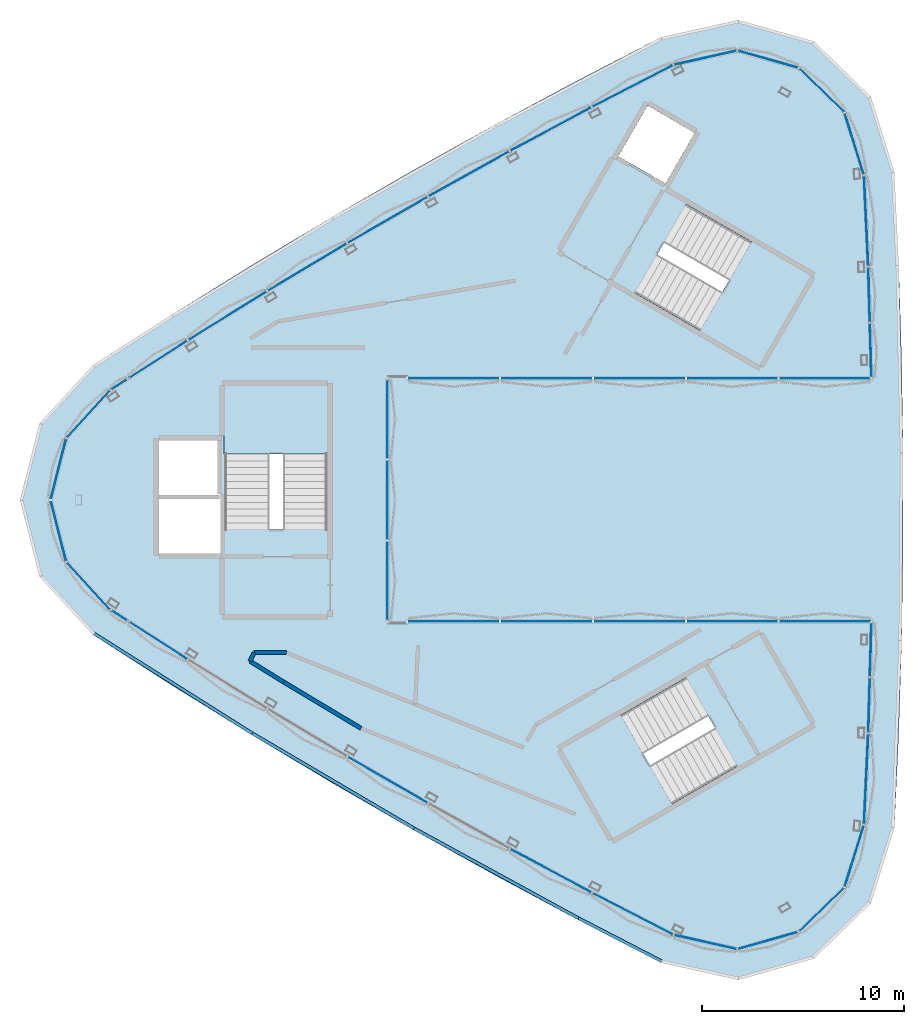
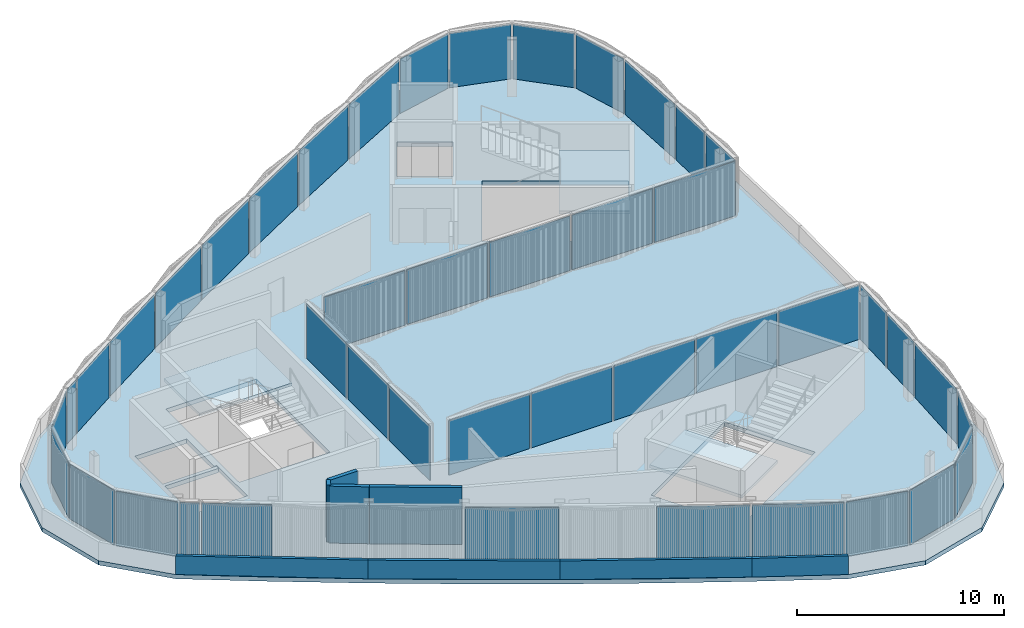
# One storey, part 6 of 16: 44 plates, 8 walls, 4 slabs, 6 elements without a shape of their own.
"""IFC4 building model written with IfcOpenShell, lengths in metres."""

from ifc_helpers import new_model, si_unit, direction, frame, frame_2d, origin, origin_2d, place, context, subcontext, project, spatial, polyline, rectangle, outline, extrude, material, layer, layer_set, type_object, element, aggregate, save


model = new_model("IFC4")

# Units and contexts
model_context = context("Model", 3, precision=1e-05, world=origin(), true_north=direction((0.0, 1.0)))
body_context = subcontext(model_context, "Body", "Model", "MODEL_VIEW")
ifc_project = project(units=[si_unit("LENGTHUNIT", "METRE"), si_unit("AREAUNIT", "SQUARE_METRE"), si_unit("VOLUMEUNIT", "CUBIC_METRE"), si_unit("PLANEANGLEUNIT", "RADIAN"), si_unit("MASSUNIT", "GRAM", prefix="KILO")], contexts=[model_context])

# Site, building, storey
site_placement = place(None, origin())
site = spatial("IfcSite", under=ifc_project, at=site_placement, CompositionType="ELEMENT")
building_placement = place(site_placement, origin())
building = spatial("IfcBuilding", under=site, at=building_placement, Name="Tamra Quay Hotel Tower", CompositionType="ELEMENT")
storey_placement = place(building_placement, frame((0.0, 0.0, 320.60009765625)))
storey = spatial("IfcBuildingStorey", under=building, at=storey_placement, Name="Roof crown 1", CompositionType="ELEMENT", Elevation=320.60009765625)

# Stair, slab
ifc_material_1 = material(Name="Exit stair 2200 24 risers 150.0 going 342")
stair_type = type_object("IfcStairType", Name="Exit stair 2200 24 risers 150.0 going 342", PredefinedType="HALF_TURN_STAIR", material=ifc_material_1)
stair_1_placement = place(storey_placement, origin())
stair_1 = element("IfcStair", 1, at=stair_1_placement, inside=storey, type_object=stair_type, Name="Roof crown 1 Exit stair ST3", PredefinedType="HALF_TURN_STAIR")
ifc_material_2 = material(Name="Concrete M70", Category="concrete")
ifc_layer_1 = layer(ifc_material_2, 0.175048828125)
ifc_layer_set_1 = layer_set([ifc_layer_1], Name="Concrete M70 stair landing 180")
slab_type_1 = type_object("IfcSlabType", Name="Concrete M70 stair landing 180", PredefinedType="LANDING", material=ifc_layer_set_1)
slab_1_placement = place(storey_placement, frame((0.0, 0.0, 1.625)))
slab_1 = element("IfcSlab", 2, at=slab_1_placement, type_object=slab_type_1, Name="ST3 landing 1", PredefinedType="LANDING", context=body_context, shape_type="SweptSolid", body=[
    extrude(outline(polyline([(-10.932373046875, 2.261962890625), (-10.932373046875, 5.679931640625), (-16.09130859375, 5.679931640625), (-16.09130859375, 2.261962890625), (-10.932373046875, 2.261962890625)])), origin(), (0.0, 0.0, 1.0), 0.1748046875),
])
aggregate(stair_1, [slab_1])

stair_2_placement = place(storey_placement, origin())
stair_2 = element("IfcStair", 3, at=stair_2_placement, inside=storey, type_object=stair_type, Name="Roof crown 1 Exit stair ST1", PredefinedType="HALF_TURN_STAIR")
slab_2_placement = place(storey_placement, frame((0.0, 0.0, 1.625)))
slab_2 = element("IfcSlab", 4, at=slab_2_placement, type_object=slab_type_1, Name="ST1 landing 1", PredefinedType="LANDING", context=body_context, shape_type="SweptSolid", body=[
    extrude(outline(polyline([(7.425048828125, 8.336669921875), (10.385009765625, 6.627685546875), (12.964599609375, 11.095458984375), (10.00439453125, 12.804443359375), (7.425048828125, 8.336669921875)])), origin(), (0.0, 0.0, 1.0), 0.1748046875),
])
aggregate(stair_2, [slab_2])

stair_3_placement = place(storey_placement, origin())
stair_3 = element("IfcStair", 5, at=stair_3_placement, inside=storey, type_object=stair_type, Name="Roof crown 1 Exit stair ST2", PredefinedType="HALF_TURN_STAIR")
slab_3_placement = place(storey_placement, frame((0.0, 0.0, 1.625)))
slab_3 = element("IfcSlab", 6, at=slab_3_placement, type_object=slab_type_1, Name="ST2 landing 1", PredefinedType="LANDING", context=body_context, shape_type="SweptSolid", body=[
    extrude(outline(polyline([(3.50732421875, -10.5986328125), (0.547119140625, -12.3076171875), (3.126708984375, -16.775390625), (6.086669921875, -15.06640625), (3.50732421875, -10.5986328125)])), origin(), (0.0, 0.0, 1.0), 0.1748046875),
])
aggregate(stair_3, [slab_3])

# Curtain wall, plates
ifc_material_3 = material(Name="Aluminium 6063 anodised dark grey", Category="aluminium")
curtain_wall_type = type_object("IfcCurtainWallType", Name="CW6 CURTAIN WALL", PredefinedType="NOTDEFINED", material=ifc_material_3)
curtain_wall_1_placement = place(storey_placement, origin())
curtain_wall_1 = element("IfcCurtainWall", 7, at=curtain_wall_1_placement, inside=storey, type_object=curtain_wall_type, Name="CW6 lantern A face Roof crown 1", PredefinedType="NOTDEFINED")
ifc_material_4 = material(Name="Glass clear laminated low-iron", Category="glass")
ifc_layer_2 = layer(ifc_material_4, 0.030029296875)
ifc_layer_set_2 = layer_set([ifc_layer_2], Name="GLASS PANEL CW6")
plate_type = type_object("IfcPlateType", Name="GLASS PANEL CW6", PredefinedType="CURTAIN_PANEL", material=ifc_layer_set_2)
plate_1_placement = place(storey_placement, frame((15.66162109375, 13.796142578125, 0.0), z_axis=(0.0, 0.0, 1.0), x_axis=(-0.046821305973, 0.998903281257, 0.0)))
plate_1 = element("IfcPlate", 8, at=plate_1_placement, type_object=plate_type, Name="CW6 glass Roof crown 1.A.1", PredefinedType="CURTAIN_PANEL", context=body_context, shape_type="SweptSolid", body=[
    extrude(rectangle(XDim=4.440185546875, YDim=0.030029296875, at=origin_2d()), origin(), (0.0, 0.0, 1.0), 3.2099609375),
])
plate_2_placement = place(storey_placement, frame((15.072998046875, 17.6064453125, 0.0), z_axis=(0.0, 0.0, 1.0), x_axis=(-0.29839239288, 0.954443282689, 0.0)))
plate_2 = element("IfcPlate", 9, at=plate_2_placement, type_object=plate_type, Name="CW6 glass Roof crown 1.A.2", PredefinedType="CURTAIN_PANEL", context=body_context, shape_type="SweptSolid", body=[
    extrude(rectangle(XDim=3.132568359375, YDim=0.030029296875, at=origin_2d()), origin(), (0.0, 0.0, 1.0), 3.2099609375),
])
plate_3_placement = place(storey_placement, frame((13.458984375, 20.250244140625, 0.0), z_axis=(0.0, 0.0, 1.0), x_axis=(-0.716752699854, 0.69732744622, 0.0)))
plate_3 = element("IfcPlate", 10, at=plate_3_placement, type_object=plate_type, Name="CW6 glass Roof crown 1.A.3", PredefinedType="CURTAIN_PANEL", context=body_context, shape_type="SweptSolid", body=[
    extrude(rectangle(XDim=3.05810546875, YDim=0.030029296875, at=origin_2d()), origin(), (0.0, 0.0, 1.0), 3.2099609375),
])
plate_4_placement = place(storey_placement, frame((10.807861328125, 21.781005859375, 0.0), z_axis=(0.0, 0.0, 1.0), x_axis=(-0.96227963311, 0.272062323195, 0.0)))
plate_4 = element("IfcPlate", 11, at=plate_4_placement, type_object=plate_type, Name="CW6 glass Roof crown 1.A.4", PredefinedType="CURTAIN_PANEL", context=body_context, shape_type="SweptSolid", body=[
    extrude(rectangle(XDim=3.05810546875, YDim=0.030029296875, at=origin_2d()), origin(), (0.0, 0.0, 1.0), 3.2099609375),
])
plate_5_placement = place(storey_placement, frame((7.711181640625, 21.85693359375, 0.0), z_axis=(0.0, 0.0, 1.0), x_axis=(-0.975768325721, -0.218806248814, 0.0)))
plate_5 = element("IfcPlate", 12, at=plate_5_placement, type_object=plate_type, Name="CW6 glass Roof crown 1.A.5", PredefinedType="CURTAIN_PANEL", context=body_context, shape_type="SweptSolid", body=[
    extrude(rectangle(XDim=3.132568359375, YDim=0.030029296875, at=origin_2d()), origin(), (0.0, 0.0, 1.0), 3.2099609375),
])
plate_6_placement = place(storey_placement, frame((4.116943359375, 20.46142578125, 0.0), z_axis=(0.0, 0.0, 1.0), x_axis=(-0.888486270479, -0.458903200218, 0.0)))
plate_6 = element("IfcPlate", 13, at=plate_6_placement, type_object=plate_type, Name="CW6 glass Roof crown 1.A.6", PredefinedType="CURTAIN_PANEL", context=body_context, shape_type="SweptSolid", body=[
    extrude(rectangle(XDim=4.440185546875, YDim=0.030029296875, at=origin_2d()), origin(), (0.0, 0.0, 1.0), 3.2099609375),
])
plate_7_placement = place(storey_placement, frame((0.06787109375, 18.32958984375, 0.0), z_axis=(0.0, 0.0, 1.0), x_axis=(-0.881223582111, -0.472699691486, 0.0)))
plate_7 = element("IfcPlate", 14, at=plate_7_placement, type_object=plate_type, Name="CW6 glass Roof crown 1.A.7", PredefinedType="CURTAIN_PANEL", context=body_context, shape_type="SweptSolid", body=[
    extrude(rectangle(XDim=4.51220703125, YDim=0.030029296875, at=origin_2d()), origin(), (0.0, 0.0, 1.0), 3.2099609375),
])
plate_8_placement = place(storey_placement, frame((-3.9794921875, 16.11767578125, 0.0), z_axis=(0.0, 0.0, 1.0), x_axis=(-0.873735522847, -0.486401311794, 0.0)))
plate_8 = element("IfcPlate", 15, at=plate_8_placement, type_object=plate_type, Name="CW6 glass Roof crown 1.A.8", PredefinedType="CURTAIN_PANEL", context=body_context, shape_type="SweptSolid", body=[
    extrude(rectangle(XDim=4.5126953125, YDim=0.030029296875, at=origin_2d()), origin(), (0.0, 0.0, 1.0), 3.2099609375),
])
plate_9_placement = place(storey_placement, frame((-7.991943359375, 13.842529296875, 0.0), z_axis=(0.0, 0.0, 1.0), x_axis=(-0.866025403784, -0.5, 0.0)))
plate_9 = element("IfcPlate", 16, at=plate_9_placement, type_object=plate_type, Name="CW6 glass Roof crown 1.A.9", PredefinedType="CURTAIN_PANEL", context=body_context, shape_type="SweptSolid", body=[
    extrude(rectangle(XDim=4.5126953125, YDim=0.030029296875, at=origin_2d()), origin(), (0.0, 0.0, 1.0), 3.2099609375),
])
plate_10_placement = place(storey_placement, frame((-11.968505859375, 11.505126953125, 0.0), z_axis=(0.0, 0.0, 1.0), x_axis=(-0.858103653871, -0.513476503078, 0.0)))
plate_10 = element("IfcPlate", 17, at=plate_10_placement, type_object=plate_type, Name="CW6 glass Roof crown 1.A.10", PredefinedType="CURTAIN_PANEL", context=body_context, shape_type="SweptSolid", body=[
    extrude(rectangle(XDim=4.5126953125, YDim=0.030029296875, at=origin_2d()), origin(), (0.0, 0.0, 1.0), 3.2099609375),
])
plate_11_placement = place(storey_placement, frame((-15.90771484375, 9.10595703125, 0.0), z_axis=(0.0, 0.0, 1.0), x_axis=(-0.849981732244, -0.526812162779, 0.0)))
plate_11 = element("IfcPlate", 18, at=plate_11_placement, type_object=plate_type, Name="CW6 glass Roof crown 1.A.11", PredefinedType="CURTAIN_PANEL", context=body_context, shape_type="SweptSolid", body=[
    extrude(rectangle(XDim=4.51220703125, YDim=0.030029296875, at=origin_2d()), origin(), (0.0, 0.0, 1.0), 3.2099609375),
])
plate_12_placement = place(storey_placement, frame((-19.341796875, 6.945556640625, 0.0), z_axis=(0.0, 0.0, 1.0), x_axis=(-0.841664964506, -0.54000008104, 0.0)))
plate_12 = element("IfcPlate", 19, at=plate_12_placement, type_object=plate_type, Name="CW6 glass Roof crown 1.A.12", PredefinedType="CURTAIN_PANEL", context=body_context, shape_type="SweptSolid", body=[
    extrude(rectangle(XDim=3.402099609375, YDim=0.030029296875, at=origin_2d()), origin(), (0.0, 0.0, 1.0), 3.2099609375),
])
plate_13_placement = place(storey_placement, frame((-4.740966796875, 6.0, 0.0), z_axis=(0.0, 0.0, 1.0), x_axis=(1.0, 0.0, 0.0)))
plate_13 = element("IfcPlate", 20, at=plate_13_placement, type_object=plate_type, Name="CW6 glass Roof crown 1.A.13", PredefinedType="CURTAIN_PANEL", context=body_context, shape_type="SweptSolid", body=[
    extrude(rectangle(XDim=4.49267578125, YDim=0.030029296875, at=origin_2d()), origin(), (0.0, 0.0, 1.0), 3.2099609375),
])
plate_14_placement = place(storey_placement, frame((-0.148193359375, 6.0, 0.0), z_axis=(0.0, 0.0, 1.0), x_axis=(1.0, 0.0, 0.0)))
plate_14 = element("IfcPlate", 21, at=plate_14_placement, type_object=plate_type, Name="CW6 glass Roof crown 1.A.14", PredefinedType="CURTAIN_PANEL", context=body_context, shape_type="SweptSolid", body=[
    extrude(rectangle(XDim=4.49267578125, YDim=0.030029296875, at=origin_2d()), origin(), (0.0, 0.0, 1.0), 3.2099609375),
])
plate_15_placement = place(storey_placement, frame((4.444580078125, 6.0, 0.0), z_axis=(0.0, 0.0, 1.0), x_axis=(1.0, 0.0, 0.0)))
plate_15 = element("IfcPlate", 22, at=plate_15_placement, type_object=plate_type, Name="CW6 glass Roof crown 1.A.15", PredefinedType="CURTAIN_PANEL", context=body_context, shape_type="SweptSolid", body=[
    extrude(rectangle(XDim=4.49267578125, YDim=0.030029296875, at=origin_2d()), origin(), (0.0, 0.0, 1.0), 3.2099609375),
])
plate_16_placement = place(storey_placement, frame((9.037353515625, 6.0, 0.0), z_axis=(0.0, 0.0, 1.0), x_axis=(1.0, 0.0, 0.0)))
plate_16 = element("IfcPlate", 23, at=plate_16_placement, type_object=plate_type, Name="CW6 glass Roof crown 1.A.16", PredefinedType="CURTAIN_PANEL", context=body_context, shape_type="SweptSolid", body=[
    extrude(rectangle(XDim=4.49267578125, YDim=0.030029296875, at=origin_2d()), origin(), (0.0, 0.0, 1.0), 3.2099609375),
])
plate_17_placement = place(storey_placement, frame((13.6298828125, 6.0, 0.0), z_axis=(0.0, 0.0, 1.0), x_axis=(1.0, 0.0, 0.0)))
plate_17 = element("IfcPlate", 24, at=plate_17_placement, type_object=plate_type, Name="CW6 glass Roof crown 1.A.17", PredefinedType="CURTAIN_PANEL", context=body_context, shape_type="SweptSolid", body=[
    extrude(rectangle(XDim=4.49267578125, YDim=0.030029296875, at=origin_2d()), origin(), (0.0, 0.0, 1.0), 3.2099609375),
])
plate_18_placement = place(storey_placement, frame((15.88671875, 7.382080078125, 0.0), z_axis=(0.0, 0.0, 1.0), x_axis=(-0.028649831581, 0.999589509324, 0.0)))
plate_18 = element("IfcPlate", 25, at=plate_18_placement, type_object=plate_type, Name="CW6 glass Roof crown 1.A.18", PredefinedType="CURTAIN_PANEL", context=body_context, shape_type="SweptSolid", body=[
    extrude(rectangle(XDim=2.665283203125, YDim=0.030029296875, at=origin_2d()), origin(), (0.0, 0.0, 1.0), 3.2099609375),
])
plate_19_placement = place(storey_placement, frame((15.8076171875, 10.146484375, 0.0), z_axis=(0.0, 0.0, 1.0), x_axis=(-0.028649831581, 0.999589509324, 0.0)))
plate_19 = element("IfcPlate", 26, at=plate_19_placement, type_object=plate_type, Name="CW6 glass Roof crown 1.A.19", PredefinedType="CURTAIN_PANEL", context=body_context, shape_type="SweptSolid", body=[
    extrude(rectangle(XDim=2.665283203125, YDim=0.030029296875, at=origin_2d()), origin(), (0.0, 0.0, 1.0), 3.2099609375),
])
aggregate(curtain_wall_1, [plate_1, plate_2, plate_3, plate_4, plate_5, plate_6, plate_7, plate_8, plate_9, plate_10, plate_11, plate_12, plate_13, plate_14, plate_15, plate_16, plate_17, plate_18, plate_19])

curtain_wall_2_placement = place(storey_placement, origin())
curtain_wall_2 = element("IfcCurtainWall", 27, at=curtain_wall_2_placement, inside=storey, type_object=curtain_wall_type, Name="CW6 lantern B face Roof crown 1", PredefinedType="NOTDEFINED")
plate_20_placement = place(storey_placement, frame((13.6298828125, -6.0, 0.0), z_axis=(0.0, 0.0, 1.0), x_axis=(-1.0, 0.0, 0.0)))
plate_20 = element("IfcPlate", 28, at=plate_20_placement, type_object=plate_type, Name="CW6 glass Roof crown 1.B.1", PredefinedType="CURTAIN_PANEL", context=body_context, shape_type="SweptSolid", body=[
    extrude(rectangle(XDim=4.49267578125, YDim=0.030029296875, at=origin_2d()), origin(), (0.0, 0.0, 1.0), 3.2099609375),
])
plate_21_placement = place(storey_placement, frame((9.037353515625, -6.0, 0.0), z_axis=(0.0, 0.0, 1.0), x_axis=(-1.0, 0.0, 0.0)))
plate_21 = element("IfcPlate", 29, at=plate_21_placement, type_object=plate_type, Name="CW6 glass Roof crown 1.B.2", PredefinedType="CURTAIN_PANEL", context=body_context, shape_type="SweptSolid", body=[
    extrude(rectangle(XDim=4.49267578125, YDim=0.030029296875, at=origin_2d()), origin(), (0.0, 0.0, 1.0), 3.2099609375),
])
plate_22_placement = place(storey_placement, frame((4.444580078125, -6.0, 0.0), z_axis=(0.0, 0.0, 1.0), x_axis=(-1.0, 0.0, 0.0)))
plate_22 = element("IfcPlate", 30, at=plate_22_placement, type_object=plate_type, Name="CW6 glass Roof crown 1.B.3", PredefinedType="CURTAIN_PANEL", context=body_context, shape_type="SweptSolid", body=[
    extrude(rectangle(XDim=4.49267578125, YDim=0.030029296875, at=origin_2d()), origin(), (0.0, 0.0, 1.0), 3.2099609375),
])
plate_23_placement = place(storey_placement, frame((-0.148193359375, -6.0, 0.0), z_axis=(0.0, 0.0, 1.0), x_axis=(-1.0, 0.0, 0.0)))
plate_23 = element("IfcPlate", 31, at=plate_23_placement, type_object=plate_type, Name="CW6 glass Roof crown 1.B.4", PredefinedType="CURTAIN_PANEL", context=body_context, shape_type="SweptSolid", body=[
    extrude(rectangle(XDim=4.49267578125, YDim=0.030029296875, at=origin_2d()), origin(), (0.0, 0.0, 1.0), 3.2099609375),
])
plate_24_placement = place(storey_placement, frame((-4.740966796875, -6.0, 0.0), z_axis=(0.0, 0.0, 1.0), x_axis=(-1.0, 0.0, 0.0)))
plate_24 = element("IfcPlate", 32, at=plate_24_placement, type_object=plate_type, Name="CW6 glass Roof crown 1.B.5", PredefinedType="CURTAIN_PANEL", context=body_context, shape_type="SweptSolid", body=[
    extrude(rectangle(XDim=4.49267578125, YDim=0.030029296875, at=origin_2d()), origin(), (0.0, 0.0, 1.0), 3.2099609375),
])
plate_25_placement = place(storey_placement, frame((-19.341796875, -6.945556640625, 0.0), z_axis=(0.0, 0.0, 1.0), x_axis=(0.841664964506, -0.54000008104, 0.0)))
plate_25 = element("IfcPlate", 33, at=plate_25_placement, type_object=plate_type, Name="CW6 glass Roof crown 1.B.6", PredefinedType="CURTAIN_PANEL", context=body_context, shape_type="SweptSolid", body=[
    extrude(rectangle(XDim=3.402099609375, YDim=0.030029296875, at=origin_2d()), origin(), (0.0, 0.0, 1.0), 3.2099609375),
])
plate_26_placement = place(storey_placement, frame((-7.991943359375, -13.842529296875, 0.0), z_axis=(0.0, 0.0, 1.0), x_axis=(0.866025403784, -0.5, 0.0)))
plate_26 = element("IfcPlate", 34, at=plate_26_placement, type_object=plate_type, Name="CW6 glass Roof crown 1.B.9", PredefinedType="CURTAIN_PANEL", context=body_context, shape_type="SweptSolid", body=[
    extrude(rectangle(XDim=4.5126953125, YDim=0.030029296875, at=origin_2d()), origin(), (0.0, 0.0, 1.0), 3.2099609375),
])
plate_27_placement = place(storey_placement, frame((0.06787109375, -18.32958984375, 0.0), z_axis=(0.0, 0.0, 1.0), x_axis=(0.881223582111, -0.472699691486, 0.0)))
plate_27 = element("IfcPlate", 35, at=plate_27_placement, type_object=plate_type, Name="CW6 glass Roof crown 1.B.11", PredefinedType="CURTAIN_PANEL", context=body_context, shape_type="SweptSolid", body=[
    extrude(rectangle(XDim=4.51220703125, YDim=0.030029296875, at=origin_2d()), origin(), (0.0, 0.0, 1.0), 3.2099609375),
])
plate_28_placement = place(storey_placement, frame((4.116943359375, -20.46142578125, 0.0), z_axis=(0.0, 0.0, 1.0), x_axis=(0.888486270479, -0.458903200218, 0.0)))
plate_28 = element("IfcPlate", 36, at=plate_28_placement, type_object=plate_type, Name="CW6 glass Roof crown 1.B.12", PredefinedType="CURTAIN_PANEL", context=body_context, shape_type="SweptSolid", body=[
    extrude(rectangle(XDim=4.440185546875, YDim=0.030029296875, at=origin_2d()), origin(), (0.0, 0.0, 1.0), 3.2099609375),
])
plate_29_placement = place(storey_placement, frame((7.711181640625, -21.85693359375, 0.0), z_axis=(0.0, 0.0, 1.0), x_axis=(0.975768325721, -0.218806248814, 0.0)))
plate_29 = element("IfcPlate", 37, at=plate_29_placement, type_object=plate_type, Name="CW6 glass Roof crown 1.B.13", PredefinedType="CURTAIN_PANEL", context=body_context, shape_type="SweptSolid", body=[
    extrude(rectangle(XDim=3.132568359375, YDim=0.030029296875, at=origin_2d()), origin(), (0.0, 0.0, 1.0), 3.2099609375),
])
plate_30_placement = place(storey_placement, frame((10.807861328125, -21.781005859375, 0.0), z_axis=(0.0, 0.0, 1.0), x_axis=(0.96227963311, 0.272062323195, 0.0)))
plate_30 = element("IfcPlate", 38, at=plate_30_placement, type_object=plate_type, Name="CW6 glass Roof crown 1.B.14", PredefinedType="CURTAIN_PANEL", context=body_context, shape_type="SweptSolid", body=[
    extrude(rectangle(XDim=3.05810546875, YDim=0.030029296875, at=origin_2d()), origin(), (0.0, 0.0, 1.0), 3.2099609375),
])
plate_31_placement = place(storey_placement, frame((13.458984375, -20.250244140625, 0.0), z_axis=(0.0, 0.0, 1.0), x_axis=(0.716752699854, 0.69732744622, 0.0)))
plate_31 = element("IfcPlate", 39, at=plate_31_placement, type_object=plate_type, Name="CW6 glass Roof crown 1.B.15", PredefinedType="CURTAIN_PANEL", context=body_context, shape_type="SweptSolid", body=[
    extrude(rectangle(XDim=3.05810546875, YDim=0.030029296875, at=origin_2d()), origin(), (0.0, 0.0, 1.0), 3.2099609375),
])
plate_32_placement = place(storey_placement, frame((15.072998046875, -17.6064453125, 0.0), z_axis=(0.0, 0.0, 1.0), x_axis=(0.29839239288, 0.954443282689, 0.0)))
plate_32 = element("IfcPlate", 40, at=plate_32_placement, type_object=plate_type, Name="CW6 glass Roof crown 1.B.16", PredefinedType="CURTAIN_PANEL", context=body_context, shape_type="SweptSolid", body=[
    extrude(rectangle(XDim=3.132568359375, YDim=0.030029296875, at=origin_2d()), origin(), (0.0, 0.0, 1.0), 3.2099609375),
])
plate_33_placement = place(storey_placement, frame((15.66162109375, -13.796142578125, 0.0), z_axis=(0.0, 0.0, 1.0), x_axis=(0.046821305973, 0.998903281257, 0.0)))
plate_33 = element("IfcPlate", 41, at=plate_33_placement, type_object=plate_type, Name="CW6 glass Roof crown 1.B.17", PredefinedType="CURTAIN_PANEL", context=body_context, shape_type="SweptSolid", body=[
    extrude(rectangle(XDim=4.440185546875, YDim=0.030029296875, at=origin_2d()), origin(), (0.0, 0.0, 1.0), 3.2099609375),
])
plate_34_placement = place(storey_placement, frame((15.8076171875, -10.146484375, 0.0), z_axis=(0.0, 0.0, 1.0), x_axis=(0.028649831581, 0.999589509324, 0.0)))
plate_34 = element("IfcPlate", 42, at=plate_34_placement, type_object=plate_type, Name="CW6 glass Roof crown 1.B.18", PredefinedType="CURTAIN_PANEL", context=body_context, shape_type="SweptSolid", body=[
    extrude(rectangle(XDim=2.665283203125, YDim=0.030029296875, at=origin_2d()), origin(), (0.0, 0.0, 1.0), 3.2099609375),
])
plate_35_placement = place(storey_placement, frame((15.88671875, -7.382080078125, 0.0), z_axis=(0.0, 0.0, 1.0), x_axis=(0.028649831581, 0.999589509324, 0.0)))
plate_35 = element("IfcPlate", 43, at=plate_35_placement, type_object=plate_type, Name="CW6 glass Roof crown 1.B.19", PredefinedType="CURTAIN_PANEL", context=body_context, shape_type="SweptSolid", body=[
    extrude(rectangle(XDim=2.665283203125, YDim=0.030029296875, at=origin_2d()), origin(), (0.0, 0.0, 1.0), 3.2099609375),
])
aggregate(curtain_wall_2, [plate_20, plate_21, plate_22, plate_23, plate_24, plate_25, plate_26, plate_27, plate_28, plate_29, plate_30, plate_31, plate_32, plate_33, plate_34, plate_35])

curtain_wall_3_placement = place(storey_placement, origin())
curtain_wall_3 = element("IfcCurtainWall", 44, at=curtain_wall_3_placement, inside=storey, type_object=curtain_wall_type, Name="CW6 lantern C face Roof crown 1", PredefinedType="NOTDEFINED")
plate_36_placement = place(storey_placement, frame((-21.25244140625, -5.7197265625, 0.0), z_axis=(0.0, 0.0, 1.0), x_axis=(0.841664964506, -0.54000008104, 0.0)))
plate_36 = element("IfcPlate", 45, at=plate_36_placement, type_object=plate_type, Name="CW6 glass Roof crown 1.C.1", PredefinedType="CURTAIN_PANEL", context=body_context, shape_type="SweptSolid", body=[
    extrude(rectangle(XDim=0.938232421875, YDim=0.030029296875, at=origin_2d()), origin(), (0.0, 0.0, 1.0), 3.2099609375),
])
plate_37_placement = place(storey_placement, frame((-8.0, -4.0, 0.0), z_axis=(0.0, 0.0, 1.0), x_axis=(0.0, 1.0, 0.0)))
plate_37 = element("IfcPlate", 46, at=plate_37_placement, type_object=plate_type, Name="CW6 glass Roof crown 1.C.2", PredefinedType="CURTAIN_PANEL", context=body_context, shape_type="SweptSolid", body=[
    extrude(rectangle(XDim=3.89990234375, YDim=0.030029296875, at=origin_2d()), origin(), (0.0, 0.0, 1.0), 3.2099609375),
])
plate_38_placement = place(storey_placement, frame((-8.0, 0.0, 0.0), z_axis=(0.0, 0.0, 1.0), x_axis=(0.0, 1.0, 0.0)))
plate_38 = element("IfcPlate", 47, at=plate_38_placement, type_object=plate_type, Name="CW6 glass Roof crown 1.C.3", PredefinedType="CURTAIN_PANEL", context=body_context, shape_type="SweptSolid", body=[
    extrude(rectangle(XDim=3.89990234375, YDim=0.030029296875, at=origin_2d()), origin(), (0.0, 0.0, 1.0), 3.2099609375),
])
plate_39_placement = place(storey_placement, frame((-8.0, 4.0, 0.0), z_axis=(0.0, 0.0, 1.0), x_axis=(0.0, 1.0, 0.0)))
plate_39 = element("IfcPlate", 48, at=plate_39_placement, type_object=plate_type, Name="CW6 glass Roof crown 1.C.4", PredefinedType="CURTAIN_PANEL", context=body_context, shape_type="SweptSolid", body=[
    extrude(rectangle(XDim=3.89990234375, YDim=0.030029296875, at=origin_2d()), origin(), (0.0, 0.0, 1.0), 3.2099609375),
])
plate_40_placement = place(storey_placement, frame((-21.25244140625, 5.7197265625, 0.0), z_axis=(0.0, 0.0, 1.0), x_axis=(-0.841664964506, -0.54000008104, 0.0)))
plate_40 = element("IfcPlate", 49, at=plate_40_placement, type_object=plate_type, Name="CW6 glass Roof crown 1.C.5", PredefinedType="CURTAIN_PANEL", context=body_context, shape_type="SweptSolid", body=[
    extrude(rectangle(XDim=0.938232421875, YDim=0.030029296875, at=origin_2d()), origin(), (0.0, 0.0, 1.0), 3.2099609375),
])
plate_41_placement = place(storey_placement, frame((-22.7841796875, 4.25048828125, 0.0), z_axis=(0.0, 0.0, 1.0), x_axis=(-0.67737593284, -0.735637033875, 0.0)))
plate_41 = element("IfcPlate", 50, at=plate_41_placement, type_object=plate_type, Name="CW6 glass Roof crown 1.C.6", PredefinedType="CURTAIN_PANEL", context=body_context, shape_type="SweptSolid", body=[
    extrude(rectangle(XDim=3.132568359375, YDim=0.030029296875, at=origin_2d()), origin(), (0.0, 0.0, 1.0), 3.2099609375),
])
plate_42_placement = place(storey_placement, frame((-24.266845703125, 1.53076171875, 0.0), z_axis=(0.0, 0.0, 1.0), x_axis=(-0.245526933255, -0.969389769415, 0.0)))
plate_42 = element("IfcPlate", 51, at=plate_42_placement, type_object=plate_type, Name="CW6 glass Roof crown 1.C.7", PredefinedType="CURTAIN_PANEL", context=body_context, shape_type="SweptSolid", body=[
    extrude(rectangle(XDim=3.05810546875, YDim=0.030029296875, at=origin_2d()), origin(), (0.0, 0.0, 1.0), 3.2099609375),
])
plate_43_placement = place(storey_placement, frame((-24.266845703125, -1.53076171875, 0.0), z_axis=(0.0, 0.0, 1.0), x_axis=(0.245526933255, -0.969389769415, 0.0)))
plate_43 = element("IfcPlate", 52, at=plate_43_placement, type_object=plate_type, Name="CW6 glass Roof crown 1.C.8", PredefinedType="CURTAIN_PANEL", context=body_context, shape_type="SweptSolid", body=[
    extrude(rectangle(XDim=3.05810546875, YDim=0.030029296875, at=origin_2d()), origin(), (0.0, 0.0, 1.0), 3.2099609375),
])
plate_44_placement = place(storey_placement, frame((-22.7841796875, -4.25048828125, 0.0), z_axis=(0.0, 0.0, 1.0), x_axis=(0.67737593284, -0.735637033875, 0.0)))
plate_44 = element("IfcPlate", 53, at=plate_44_placement, type_object=plate_type, Name="CW6 glass Roof crown 1.C.9", PredefinedType="CURTAIN_PANEL", context=body_context, shape_type="SweptSolid", body=[
    extrude(rectangle(XDim=3.132568359375, YDim=0.030029296875, at=origin_2d()), origin(), (0.0, 0.0, 1.0), 3.2099609375),
])
aggregate(curtain_wall_3, [plate_36, plate_37, plate_38, plate_39, plate_40, plate_41, plate_42, plate_43, plate_44])

# Slab
ifc_material_5 = material(Name="Concrete M60", Category="concrete")
ifc_layer_3 = layer(ifc_material_5, 0.25)
ifc_layer_set_3 = layer_set([ifc_layer_3], Name="ROOF SLAB PT 250")
slab_type_2 = type_object("IfcSlabType", Name="ROOF SLAB PT 250", PredefinedType="ROOF", material=ifc_layer_set_3)
slab_4_placement = place(storey_placement, frame((0.0, 0.0, -0.25)))
element("IfcSlab", 54, at=slab_4_placement, inside=storey, type_object=slab_type_2, Name="SLAB-Roofcrown1", PredefinedType="ROOF", context=body_context, shape_type="SweptSolid", body=[
    extrude(outline(polyline([(17.266845703125, 11.586669921875), (17.41162109375, 6.953857421875), (17.484130859375, 2.318115234375), (17.484130859375, -2.318115234375), (17.41162109375, -6.953857421875), (17.266845703125, -11.586669921875), (17.0498046875, -16.218505859375), (15.884765625, -19.944580078125), (13.086669921875, -22.666748046875), (9.330078125, -23.72900390625), (5.520751953125, -22.874755859375), (1.40087890625, -20.746826171875), (-2.68359375, -18.555908203125), (-6.734619140625, -16.30078125), (-10.74951171875, -13.982666015625), (-14.72802734375, -11.601806640625), (-18.667724609375, -9.16015625), (-22.570556640625, -6.65625), (-25.21484375, -3.784423828125), (-26.17333984375, 0.0), (-25.21484375, 3.784423828125), (-22.570556640625, 6.65625), (-18.667724609375, 9.16015625), (-14.72802734375, 11.601806640625), (-10.74951171875, 13.982666015625), (-6.734619140625, 16.30078125), (-2.68359375, 18.555908203125), (1.40087890625, 20.746826171875), (5.520751953125, 22.874755859375), (9.330078125, 23.72900390625), (13.086669921875, 22.666748046875), (15.884765625, 19.944580078125), (17.0498046875, 16.218505859375), (17.266845703125, 11.586669921875)]), holes=[polyline([(9.2783203125, -13.160400390625), (6.75390625, -8.78759765625), (0.622314453125, -12.32763671875), (3.146728515625, -16.7001953125), (9.2783203125, -13.160400390625)]), polyline([(-16.307373046875, 0.293212890625), (-16.307373046875, 0.044921875), (-19.307373046875, 0.044921875), (-19.307373046875, -2.64501953125), (-16.26708984375, -2.64501953125), (-16.26708984375, 0.293212890625), (-16.307373046875, 0.293212890625)]), polyline([(-16.3173828125, 0.293212890625), (-16.417236328125, 0.293212890625), (-16.417236328125, 2.945068359375), (-19.307373046875, 2.945068359375), (-19.307373046875, 0.2548828125), (-16.3173828125, 0.2548828125), (-16.3173828125, 0.293212890625)]), polyline([(-16.036376953125, -1.455078125), (-10.9873046875, -1.455078125), (-10.9873046875, 5.625), (-16.036376953125, 5.625), (-16.036376953125, -1.455078125)]), polyline([(12.889404296875, 11.075439453125), (6.758056640625, 14.615478515625), (4.2333984375, 10.242919921875), (10.364990234375, 6.702880859375), (12.889404296875, 11.075439453125)]), polyline([(7.18115234375, 18.148193359375), (4.8515625, 19.4931640625), (3.406494140625, 16.990234375), (5.736083984375, 15.645263671875), (7.18115234375, 18.148193359375)])]), origin(), (0.0, 0.0, 1.0), 0.25),
])

# Walls
ifc_material_6 = material(Name="Reinforced concrete M60 with render", Category="concrete")
ifc_layer_4 = layer(ifc_material_6, 0.14990234375)
ifc_layer_set_4 = layer_set([ifc_layer_4], Name="PARAPET WALL 150")
wall_type_1 = type_object("IfcWallType", Name="PARAPET WALL 150", PredefinedType="PARAPET", material=ifc_layer_set_4)
wall_1_placement = place(storey_placement, frame((-14.68798828125, -11.53857421875, 0.0), z_axis=(0.0, 0.0, 1.0), x_axis=(-0.845847863492, 0.53342421376, 0.0)))
element("IfcWall", 55, at=wall_1_placement, inside=storey, type_object=wall_type_1, Name="PW0", PredefinedType="PARAPET", context=body_context, shape_type="SweptSolid", body=[
    extrude(rectangle(XDim=9.271728515625, YDim=0.14990234375, at=frame_2d((4.6357421875, 0.0))), origin(), (0.0, 0.0, 1.0), 1.099853515625),
])
wall_2_placement = place(storey_placement, frame((-6.696533203125, -16.236083984375, 0.0), z_axis=(0.0, 0.0, 1.0), x_axis=(-0.862088503382, 0.506757745215, 0.0)))
element("IfcWall", 56, at=wall_2_placement, inside=storey, type_object=wall_type_1, Name="PW0", PredefinedType="PARAPET", context=body_context, shape_type="SweptSolid", body=[
    extrude(rectangle(XDim=9.272216796875, YDim=0.14990234375, at=frame_2d((4.63623046875, 0.0))), origin(), (0.0, 0.0, 1.0), 1.099853515625),
])
wall_3_placement = place(storey_placement, frame((1.43701171875, -20.68115234375, 0.0), z_axis=(0.0, 0.0, 1.0), x_axis=(-0.877498765517, 0.479578894986, 0.0)))
element("IfcWall", 57, at=wall_3_placement, inside=storey, type_object=wall_type_1, Name="PW0", PredefinedType="PARAPET", context=body_context, shape_type="SweptSolid", body=[
    extrude(rectangle(XDim=9.271240234375, YDim=0.14990234375, at=frame_2d((4.6357421875, 0.0))), origin(), (0.0, 0.0, 1.0), 1.099853515625),
])
wall_4_placement = place(storey_placement, frame((5.55517578125, -22.80810546875, 0.0), z_axis=(0.0, 0.0, 1.0), x_axis=(-0.888484945694, 0.458905765136, 0.0)))
element("IfcWall", 58, at=wall_4_placement, inside=storey, type_object=wall_type_1, Name="PW0", PredefinedType="PARAPET", context=body_context, shape_type="SweptSolid", body=[
    extrude(rectangle(XDim=4.636962890625, YDim=0.14990234375, at=frame_2d((2.318359375, 0.0))), origin(), (0.0, 0.0, 1.0), 1.099853515625),
])
ifc_material_7 = material(Name="Partition corridor wall")
ifc_layer_5 = layer(ifc_material_7, 0.199951171875)
ifc_layer_set_5 = layer_set([ifc_layer_5], Name="Partition corridor wall")
wall_type_2 = type_object("IfcWallType", Name="Partition corridor wall", PredefinedType="PARTITIONING", material=ifc_layer_set_5)
wall_5_placement = place(storey_placement, frame((-14.802001953125, -7.968994140625, 0.0), z_axis=(0.0, 0.0, 1.0), x_axis=(0.443876206707, 0.896088116827, 0.0)))
element("IfcWall", 59, at=wall_5_placement, inside=storey, type_object=wall_type_2, Name="W-C", PredefinedType="PARTITIONING", context=body_context, shape_type="SweptSolid", body=[
    extrude(rectangle(XDim=0.468505859375, YDim=0.199951171875, at=frame_2d((0.234375, 0.0))), origin(), (0.0, 0.0, 1.0), 3.349853515625),
])
wall_6_placement = place(storey_placement, frame((-14.802001953125, -7.968994140625, 0.0), z_axis=(0.0, 0.0, 1.0), x_axis=(0.849923964999, -0.526905355563, 0.0)))
element("IfcWall", 60, at=wall_6_placement, inside=storey, type_object=wall_type_2, Name="W-C", PredefinedType="PARTITIONING", context=body_context, shape_type="SweptSolid", body=[
    extrude(rectangle(XDim=1.953125, YDim=0.199951171875, at=frame_2d((0.9765625, 0.0))), origin(), (0.0, 0.0, 1.0), 3.349853515625),
])
wall_7_placement = place(storey_placement, frame((-14.593994140625, -7.549072265625, 0.0), z_axis=(0.0, 0.0, 1.0), x_axis=(1.0, 0.0, 0.0)))
element("IfcWall", 61, at=wall_7_placement, inside=storey, type_object=wall_type_2, Name="W-C", PredefinedType="PARTITIONING", context=body_context, shape_type="SweptSolid", body=[
    extrude(rectangle(XDim=1.591064453125, YDim=0.199951171875, at=frame_2d((0.79541015625, 0.0))), origin(), (0.0, 0.0, 1.0), 3.349853515625),
])
wall_8_placement = place(storey_placement, frame((-13.14208984375, -8.998046875, 0.0), z_axis=(0.0, 0.0, 1.0), x_axis=(0.858090798123, -0.513497986536, 0.0)))
element("IfcWall", 62, at=wall_8_placement, inside=storey, type_object=wall_type_2, Name="W-C", PredefinedType="PARTITIONING", context=body_context, shape_type="SweptSolid", body=[
    extrude(rectangle(XDim=4.46337890625, YDim=0.199951171875, at=frame_2d((2.231689453125, 0.0))), origin(), (0.0, 0.0, 1.0), 3.349853515625),
])

save(model, "model.ifc")
